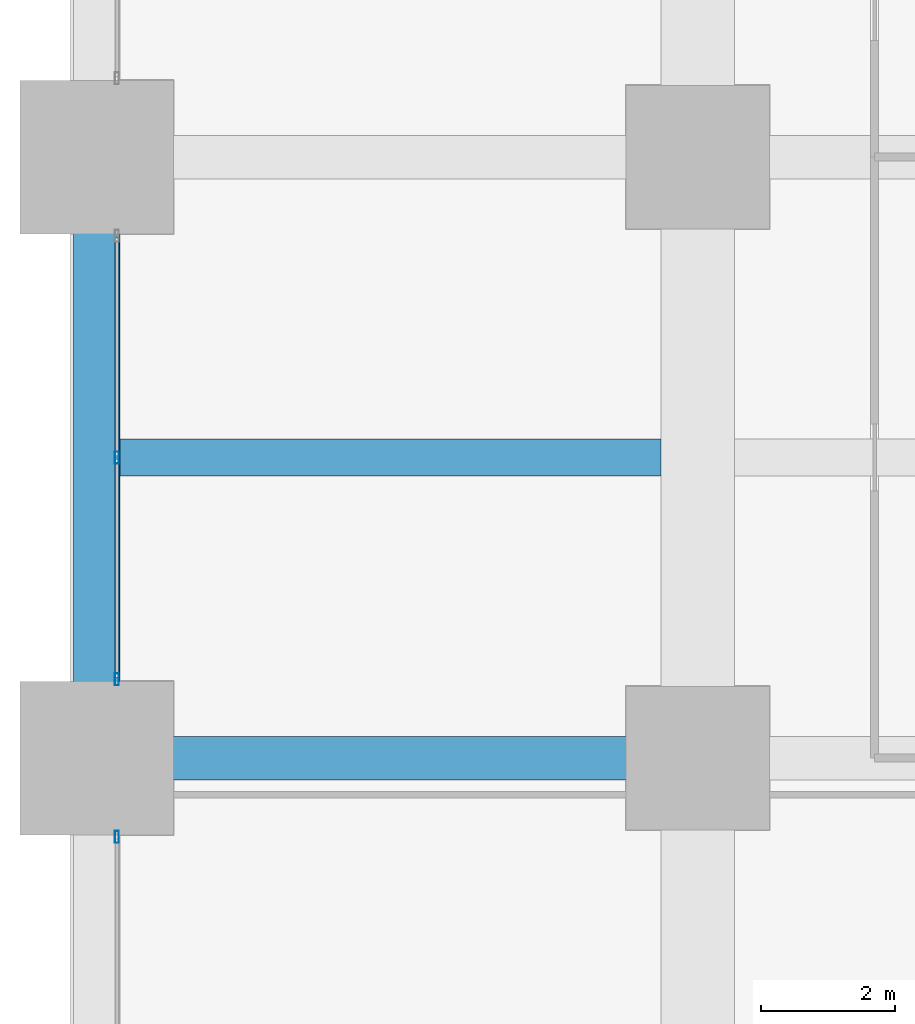
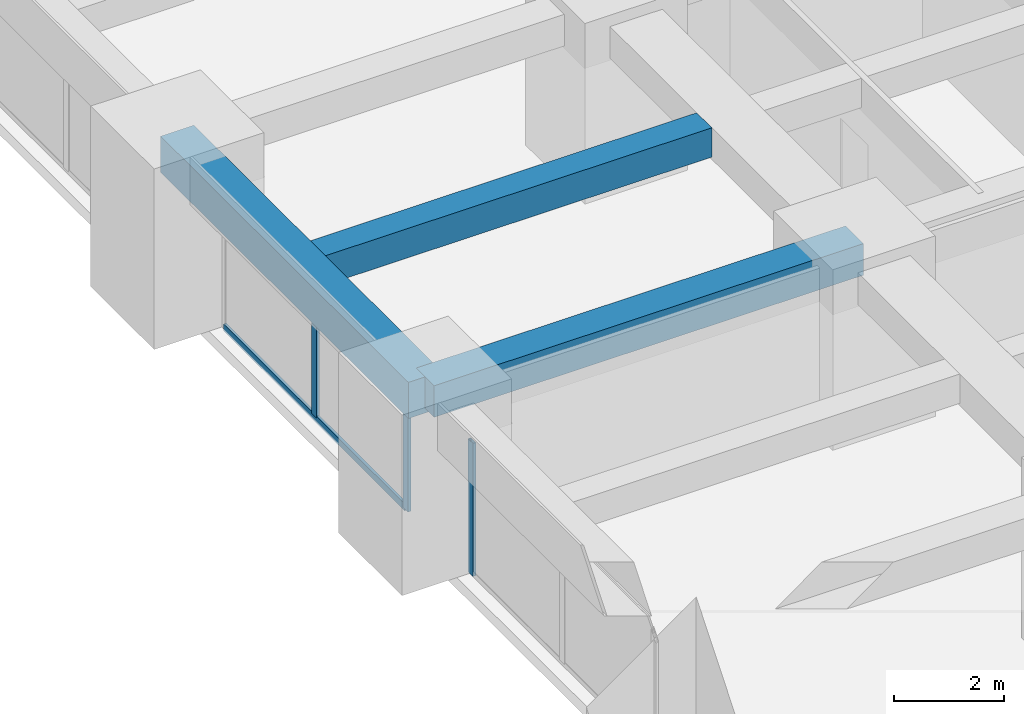
# One storey, part 9 of 44: 4 members, 3 beams, 2 elements without a shape of their own.
"""IFC4 building model written with IfcOpenShell, lengths in metres."""

import ifcopenshell
import ifcopenshell.guid

model = None  # the IFC model being written
_history = None  # IfcOwnerHistory: only IFC2X3 demands one
_inside = {}  # id of a spatial element -> (the spatial element, [elements in it])
_under = {}  # id of a project, library or spatial element -> (it, [spatial elements below it])
_declared = {}  # id of a project -> (the project, [libraries it declares])
_typed = {}  # id of a type object -> (the type object, [elements of that type])
_made_of = {}  # id of a material, layer set ... -> (it, [elements and type objects made of it])


def new_model(schema):
    """Start an empty IFC model of exactly this schema.

    Asked for "IFC4X3", IfcOpenShell would pick the latest addendum, in which some entities
    have other attributes; the version numbers below select the first issue.
    IFC2X3 requires an IfcOwnerHistory on every rooted entity: one is made here for all.
    """
    global model, _history
    if schema == "IFC4X3":
        model = ifcopenshell.file(schema_version=(4, 3, 0, 0))
    else:
        model = ifcopenshell.file(schema=schema)
    _inside.clear()
    _under.clear()
    _declared.clear()
    _typed.clear()
    _made_of.clear()
    _history = None
    if model.schema == "IFC2X3":
        org = make("IfcOrganization", Name="unknown")
        user = make(
            "IfcPersonAndOrganization",
            ThePerson=make("IfcPerson", FamilyName="unknown"),
            TheOrganization=org,
        )
        app = make(
            "IfcApplication",
            ApplicationDeveloper=org,
            Version="unknown",
            ApplicationFullName="unknown",
            ApplicationIdentifier="unknown",
        )
        _history = make(
            "IfcOwnerHistory",
            OwningUser=user,
            OwningApplication=app,
            ChangeAction="ADDED",
            CreationDate=0,
        )
    return model


def make(cls, **values):
    """One entity of the class cls with the attributes given. An attribute that is None is left unset."""
    return model.create_entity(
        cls, **{name: value for name, value in values.items() if value is not None}
    )


def rooted(cls, **values):
    """An entity with a GlobalId (a new one), such as an element, a storey or a relation."""
    return make(cls, GlobalId=ifcopenshell.guid.new(), OwnerHistory=_history, **values)


def si_unit(unit_type, name, prefix=None):
    """IfcSIUnit, for example si_unit("LENGTHUNIT", "METRE", prefix="MILLI")."""
    return make("IfcSIUnit", UnitType=unit_type, Prefix=prefix, Name=name)


def assignment(units):
    """IfcUnitAssignment: the units of a project."""
    return None if units is None else make("IfcUnitAssignment", Units=units)


def point(xyz):
    """IfcCartesianPoint."""
    return None if xyz is None else make("IfcCartesianPoint", Coordinates=xyz)


def direction(xyz):
    """IfcDirection."""
    return None if xyz is None else make("IfcDirection", DirectionRatios=xyz)


def frame(location, z_axis=None, x_axis=None):
    """IfcAxis2Placement3D, a coordinate frame: its origin and axes. An axis left out is left unset."""
    return make(
        "IfcAxis2Placement3D",
        Location=point(location),
        Axis=direction(z_axis),
        RefDirection=direction(x_axis),
    )


def frame_2d(location, x_axis=None):
    """IfcAxis2Placement2D, a coordinate frame in the plane: its origin and x axis."""
    return make(
        "IfcAxis2Placement2D", Location=point(location), RefDirection=direction(x_axis)
    )


def origin():
    """The frame at (0, 0, 0) with its axes left unset."""
    return frame((0.0, 0.0, 0.0))


def origin_2d():
    """The frame at (0, 0) in the plane with its x axis left unset."""
    return frame_2d((0.0, 0.0))


def place(relative_to, where):
    """IfcLocalPlacement: puts the frame where relative to a parent placement (None: the world)."""
    return make(
        "IfcLocalPlacement", PlacementRelTo=relative_to, RelativePlacement=where
    )


def context(
    kind, dimensions, precision=None, world=None, true_north=None, identifier=None
):
    """IfcGeometricRepresentationContext, for example the 3D "Model" context."""
    return make(
        "IfcGeometricRepresentationContext",
        ContextIdentifier=identifier,
        ContextType=kind,
        CoordinateSpaceDimension=dimensions,
        Precision=precision,
        WorldCoordinateSystem=world,
        TrueNorth=true_north,
    )


def subcontext(parent, identifier, kind, view, scale=None):
    """IfcGeometricRepresentationSubContext, for example "Body" below "Model"."""
    return make(
        "IfcGeometricRepresentationSubContext",
        ContextIdentifier=identifier,
        ContextType=kind,
        ParentContext=parent,
        TargetScale=scale,
        TargetView=view,
    )


def project(units=None, contexts=None):
    """IfcProject with its units and contexts."""
    return rooted(
        "IfcProject",
        Name="project",
        RepresentationContexts=contexts,
        UnitsInContext=assignment(units),
    )


def spatial(cls, under=None, at=None, **own):
    """A site, building, storey or space (cls), placed at a placement, below another one or the project."""
    s = rooted(cls, ObjectPlacement=at, **own)
    if under is not None:
        _under.setdefault(under.id(), (under, []))[1].append(s)
    return s


def profile(cls, at=None, kind="AREA", **sizes):
    """A parametric profile (cls). Its sizes go by their IFC names, for example OverallWidth=200.0."""
    return make(cls, ProfileType=kind, Position=at, **sizes)


def rectangle(**sizes):
    """IfcRectangleProfileDef."""
    return profile("IfcRectangleProfileDef", **sizes)


def hollow_rectangle(**sizes):
    """IfcRectangleHollowProfileDef."""
    return profile("IfcRectangleHollowProfileDef", **sizes)


def extrude(swept, where, along, depth):
    """IfcExtrudedAreaSolid: the profile swept, set in the frame where, extruded along a direction by depth."""
    return make(
        "IfcExtrudedAreaSolid",
        SweptArea=swept,
        Position=where,
        ExtrudedDirection=direction(along),
        Depth=depth,
    )


def shape(context_of_items, identifier, shape_type, items):
    """IfcShapeRepresentation: the items that make up one representation, for example the "Body"."""
    return make(
        "IfcShapeRepresentation",
        ContextOfItems=context_of_items,
        RepresentationIdentifier=identifier,
        RepresentationType=shape_type,
        Items=items,
    )


def material(Name=None, Category=None):
    """IfcMaterial."""
    return make("IfcMaterial", Name=Name, Category=Category)


def material_profile(
    of_material, cross_section, Name=None, Category=None, Priority=None
):
    """IfcMaterialProfile: a cross section and its material."""
    return make(
        "IfcMaterialProfile",
        Name=Name,
        Material=of_material,
        Profile=cross_section,
        Priority=Priority,
        Category=Category,
    )


def profile_set(profiles, Name=None, composite=None):
    """IfcMaterialProfileSet."""
    return make(
        "IfcMaterialProfileSet",
        Name=Name,
        MaterialProfiles=profiles,
        CompositeProfile=composite,
    )


def made_of(thing, what):
    """Note that an element or type object is made of a material, layer set ...; save() writes the relation."""
    if what is not None:
        _made_of.setdefault(what.id(), (what, []))[1].append(thing)
    return thing


def type_object(cls, material=None, **own):
    """A type object (cls), such as IfcWallType, which elements share."""
    return made_of(rooted(cls, **own), material)


def element(
    cls,
    number,
    at=None,
    inside=None,
    cuts=None,
    type_object=None,
    material=None,
    context=None,
    identifier="Body",
    shape_type=None,
    held_by="IfcProductDefinitionShape",
    body=None,
    shapes=None,
    **own,
):
    """One element of the class cls, such as IfcWall. Its Tag is "e" and its number.

    at: its placement. inside: the storey or other place that contains it. cuts: it is an
    opening in that element (IfcRelVoidsElement). A single representation is given by context,
    identifier, shape_type and body (its items); several are given by shapes. held_by: the class
    of the entity that holds the representations. save() writes the other relations.
    """
    e = rooted(cls, Tag="e%d" % number, ObjectPlacement=at, **own)
    if body is not None:
        shapes = [shape(context, identifier, shape_type, body)]
    if shapes is not None:
        e.Representation = make(held_by, Representations=shapes)
    if inside is not None:
        _inside.setdefault(inside.id(), (inside, []))[1].append(e)
    if cuts is not None:
        rooted(
            "IfcRelVoidsElement", RelatingBuildingElement=cuts, RelatedOpeningElement=e
        )
    if type_object is not None:
        _typed.setdefault(type_object.id(), (type_object, []))[1].append(e)
    return made_of(e, material)


def aggregate(whole, parts):
    """IfcRelAggregates: a whole, such as a stair, and the parts it consists of."""
    return rooted("IfcRelAggregates", RelatingObject=whole, RelatedObjects=parts)


def save(model, path):
    """Write the relations noted so far, then the file.

    IfcRelAggregates (storeys below a building ...), IfcRelContainedInSpatialStructure (elements
    in a storey), IfcRelDefinesByType, IfcRelAssociatesMaterial and IfcRelDeclares: one each for
    every whole, place, type object, material and project.
    """
    for whole, parts in _under.values():
        aggregate(whole, parts)
    for where, things in _inside.values():
        rooted(
            "IfcRelContainedInSpatialStructure",
            RelatedElements=things,
            RelatingStructure=where,
        )
    for kind, things in _typed.values():
        rooted("IfcRelDefinesByType", RelatedObjects=things, RelatingType=kind)
    for what, things in _made_of.values():
        rooted("IfcRelAssociatesMaterial", RelatedObjects=things, RelatingMaterial=what)
    for by, libraries in _declared.values():
        rooted("IfcRelDeclares", RelatingContext=by, RelatedDefinitions=libraries)
    model.write(path)


model = new_model("IFC4")

# Units and contexts
model_context = context("Model", 3, precision=1e-05, world=origin(), true_north=direction((0.0, 1.0)))
body_context = subcontext(model_context, "Body", "Model", "MODEL_VIEW")
ifc_project = project(units=[si_unit("LENGTHUNIT", "METRE"), si_unit("AREAUNIT", "SQUARE_METRE"), si_unit("VOLUMEUNIT", "CUBIC_METRE"), si_unit("PLANEANGLEUNIT", "RADIAN"), si_unit("MASSUNIT", "GRAM", prefix="KILO")], contexts=[model_context])

# Site, building, storey
site_placement = place(None, origin())
site = spatial("IfcSite", under=ifc_project, at=site_placement, CompositionType="ELEMENT")
building_placement = place(site_placement, origin())
building = spatial("IfcBuilding", under=site, at=building_placement, Name="Zorevar Civic Tower", CompositionType="ELEMENT")
storey_placement = place(building_placement, frame((0.0, 0.0, 55.800048828125)))
storey = spatial("IfcBuildingStorey", under=building, at=storey_placement, Name="L13", CompositionType="ELEMENT", Elevation=55.800048828125)

# Beams
ifc_material_1 = material(Name="Concrete C50/60", Category="concrete")
ifc_material_profile_1 = material_profile(ifc_material_1, rectangle(XDim=0.550048828125, YDim=0.64990234375, at=origin_2d()), Name="RC 550x650")
ifc_profile_set_1 = profile_set([ifc_material_profile_1], Name="Concrete C50/60")
beam_type_1 = type_object("IfcBeamType", Name="Beam RC 550x650", PredefinedType="BEAM", material=ifc_profile_set_1)
beam_1_placement = place(storey_placement, frame((0.35009765625, 22.5, 3.425048828125), z_axis=(1.0, 0.0, 0.0), x_axis=(0.0, 1.0, 0.0)))
element("IfcBeam", 1, at=beam_1_placement, inside=storey, type_object=beam_type_1, Name="Secondary beam L14", PredefinedType="BEAM", context=body_context, shape_type="SweptSolid", body=[
    extrude(rectangle(XDim=0.550048828125, YDim=0.64990234375, at=origin_2d()), origin(), (0.0, 0.0, 1.0), 8.099853515625),
])
ifc_material_2 = material(Name="Concrete C50/60", Category="concrete")
ifc_material_profile_2 = material_profile(ifc_material_2, rectangle(XDim=0.64990234375, YDim=0.699951171875, at=origin_2d()), Name="RC 650x700")
ifc_profile_set_2 = profile_set([ifc_material_profile_2], Name="Concrete C50/60")
beam_type_2 = type_object("IfcBeamType", Name="Beam RC 650x700", PredefinedType="BEAM", material=ifc_profile_set_2)
beam_2_placement = place(storey_placement, frame((0.0, 18.0, 3.39990234375), z_axis=(1.0, 0.0, 0.0), x_axis=(0.0, 1.0, 0.0)))
element("IfcBeam", 2, at=beam_2_placement, inside=storey, type_object=beam_type_2, Name="Girder L14", PredefinedType="BEAM", context=body_context, shape_type="SweptSolid", body=[
    extrude(rectangle(XDim=0.64990234375, YDim=0.699951171875, at=origin_2d()), origin(), (0.0, 0.0, 1.0), 9.0),
])

# Curtain wall, member
ifc_material_3 = material(Name="Dark grey solar-control glass in black aluminium frame", Category="aluminium")
curtain_wall_type = type_object("IfcCurtainWallType", Name="Curtain wall CW2 low zone", PredefinedType="NOTDEFINED", material=ifc_material_3)
curtain_wall_1_placement = place(storey_placement, origin())
curtain_wall_1 = element("IfcCurtainWall", 3, at=curtain_wall_1_placement, inside=storey, type_object=curtain_wall_type, Name="CW2 L13", PredefinedType="NOTDEFINED")
ifc_material_4 = material(Name="Aluminium, black anodised", Category="aluminium")
ifc_material_profile_3 = material_profile(ifc_material_4, hollow_rectangle(XDim=0.06005859375, YDim=0.179931640625, WallThickness=0.00390625, at=origin_2d()), Name="AL 180x60x4")
ifc_profile_set_3 = profile_set([ifc_material_profile_3], Name="Aluminium, black anodised")
member_type_1 = type_object("IfcMemberType", Name="CW2 mullion AL 180x60x4", PredefinedType="MULLION", material=ifc_profile_set_3)
member_1_placement = place(storey_placement, frame((0.300048828125, 16.820068359375, 0.0), z_axis=(0.0, 0.0, 1.0), x_axis=(-1.0, 0.0, 0.0)))
member_1 = element("IfcMember", 4, at=member_1_placement, type_object=member_type_1, Name="CW2 mullion 3", PredefinedType="MULLION", context=body_context, shape_type="SweptSolid", body=[
    extrude(hollow_rectangle(XDim=0.06005859375, YDim=0.179931640625, WallThickness=0.00390625, at=origin_2d()), origin(), (0.0, 0.0, 1.0), 2.949951171875),
])
aggregate(curtain_wall_1, [member_1])

# Curtain wall, members
curtain_wall_2_placement = place(storey_placement, origin())
curtain_wall_2 = element("IfcCurtainWall", 5, at=curtain_wall_2_placement, inside=storey, type_object=curtain_wall_type, Name="CW2 L13", PredefinedType="NOTDEFINED")
member_2_placement = place(storey_placement, frame((0.300048828125, 19.179931640625, 0.0), z_axis=(0.0, 0.0, 1.0), x_axis=(-1.0, 0.0, 0.0)))
member_2 = element("IfcMember", 6, at=member_2_placement, type_object=member_type_1, Name="CW2 mullion 1", PredefinedType="MULLION", context=body_context, shape_type="SweptSolid", body=[
    extrude(hollow_rectangle(XDim=0.06005859375, YDim=0.179931640625, WallThickness=0.00390625, at=origin_2d()), origin(), (0.0, 0.0, 1.0), 2.949951171875),
])
member_3_placement = place(storey_placement, frame((0.300048828125, 22.5, 0.06005859375), z_axis=(0.0, 0.0, 1.0), x_axis=(-1.0, 0.0, 0.0)))
member_3 = element("IfcMember", 7, at=member_3_placement, type_object=member_type_1, Name="CW2 mullion 2", PredefinedType="MULLION", context=body_context, shape_type="SweptSolid", body=[
    extrude(hollow_rectangle(XDim=0.06005859375, YDim=0.179931640625, WallThickness=0.00390625, at=origin_2d()), origin(), (0.0, 0.0, 1.0), 2.889892578125),
])
ifc_material_5 = material(Name="Aluminium, black anodised", Category="aluminium")
ifc_material_profile_4 = material_profile(ifc_material_5, hollow_rectangle(XDim=0.06005859375, YDim=0.14990234375, WallThickness=0.00390625, at=origin_2d()), Name="AL 150x60x4")
ifc_profile_set_4 = profile_set([ifc_material_profile_4], Name="Aluminium, black anodised")
member_type_2 = type_object("IfcMemberType", Name="CW2 transom AL 150x60x4", PredefinedType="USERDEFINED", material=ifc_profile_set_4)
member_4_placement = place(storey_placement, frame((0.300048828125, 19.2099609375, 0.030029296875), z_axis=(0.0, 1.0, 0.0), x_axis=(-1.0, 0.0, 0.0)))
member_4 = element("IfcMember", 8, at=member_4_placement, type_object=member_type_2, Name="CW2 sill transom", ObjectType="TRANSOM", PredefinedType="USERDEFINED", context=body_context, shape_type="SweptSolid", body=[
    extrude(hollow_rectangle(XDim=0.06005859375, YDim=0.14990234375, WallThickness=0.00390625, at=origin_2d()), origin(), (0.0, 0.0, 1.0), 6.580078125),
])
aggregate(curtain_wall_2, [member_2, member_3, member_4])

# Beam
ifc_material_6 = material(Name="Concrete C50/60", Category="concrete")
ifc_material_profile_5 = material_profile(ifc_material_6, rectangle(XDim=0.699951171875, YDim=0.800048828125, at=origin_2d()), Name="RC 700x800")
ifc_profile_set_5 = profile_set([ifc_material_profile_5], Name="Concrete C50/60")
beam_type_3 = type_object("IfcBeamType", Name="Edge beam RC 700x800", PredefinedType="SPANDREL", material=ifc_profile_set_5)
beam_3_placement = place(storey_placement, frame((0.0, 18.0, 3.349853515625), z_axis=(0.0, 1.0, 0.0), x_axis=(-1.0, 0.0, 0.0)))
element("IfcBeam", 9, at=beam_3_placement, inside=storey, type_object=beam_type_3, Name="Edge beam L14", PredefinedType="SPANDREL", context=body_context, shape_type="SweptSolid", body=[
    extrude(rectangle(XDim=0.699951171875, YDim=0.800048828125, at=origin_2d()), origin(), (0.0, 0.0, 1.0), 9.0),
])

save(model, "model.ifc")
